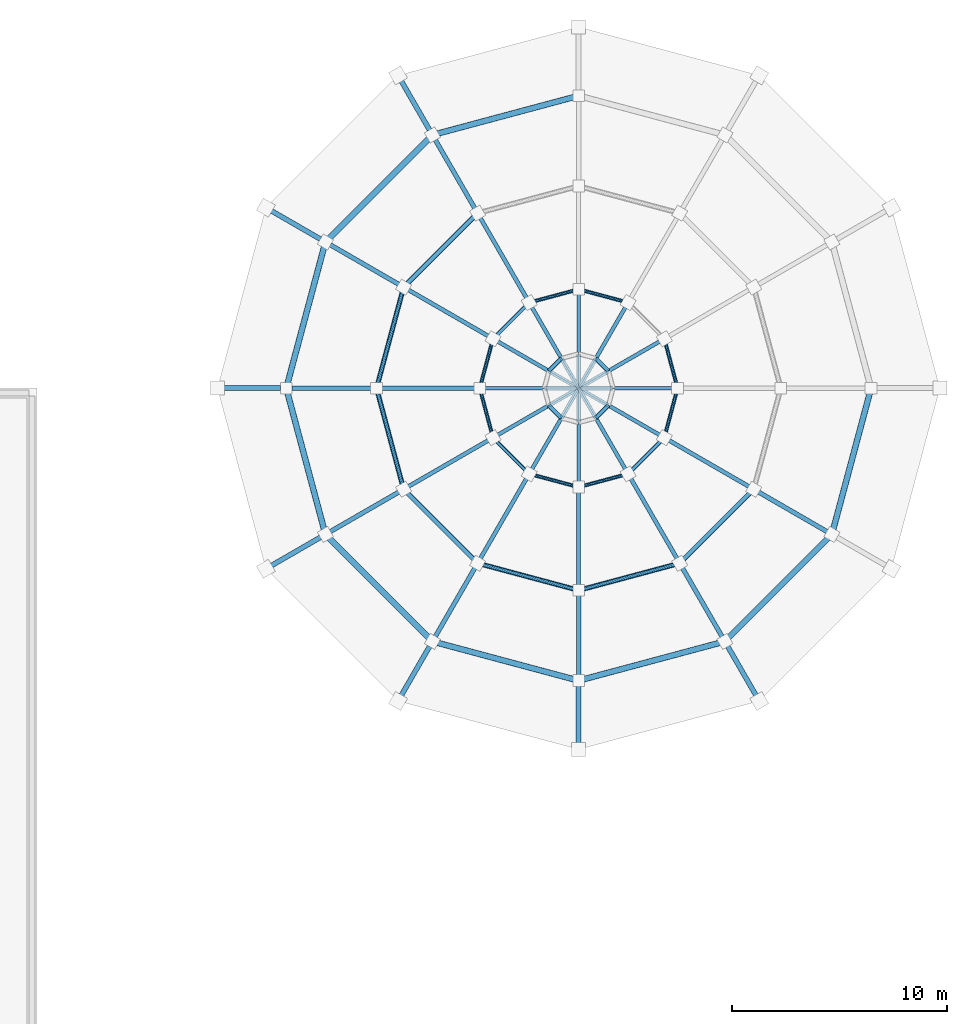
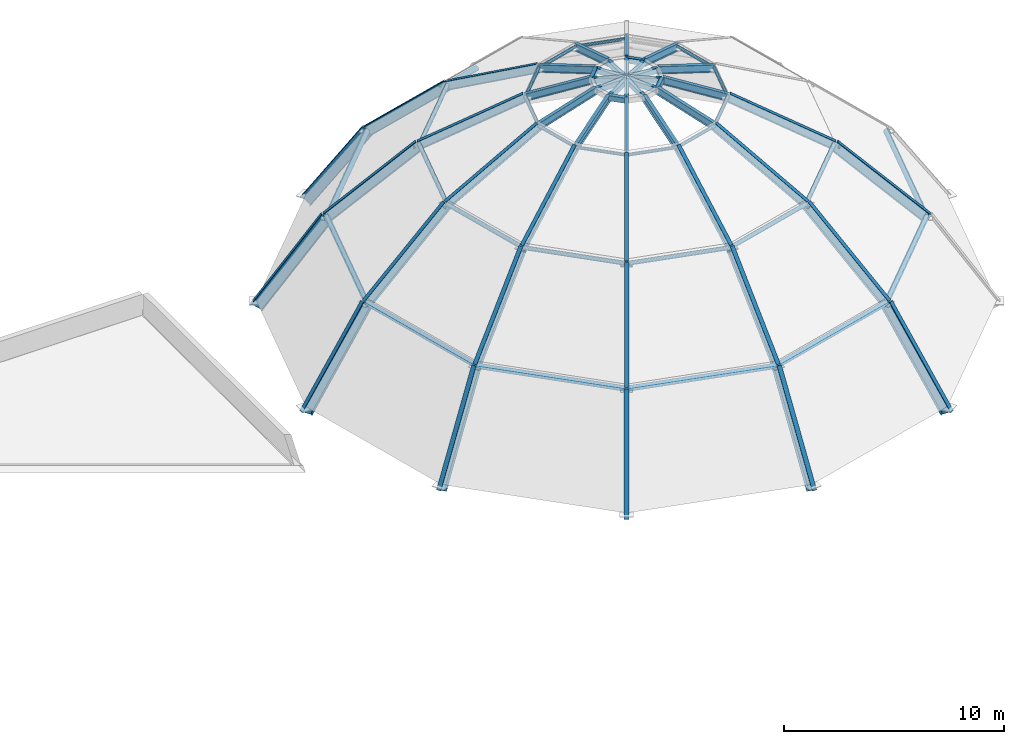
# One storey, part 1 of 5: 45 beams, 27 members.
"""IFC4 building model written with IfcOpenShell, lengths in metres."""

import ifcopenshell
import ifcopenshell.guid

model = None  # the IFC model being written
_history = None  # IfcOwnerHistory: only IFC2X3 demands one
_inside = {}  # id of a spatial element -> (the spatial element, [elements in it])
_under = {}  # id of a project, library or spatial element -> (it, [spatial elements below it])
_declared = {}  # id of a project -> (the project, [libraries it declares])
_typed = {}  # id of a type object -> (the type object, [elements of that type])
_made_of = {}  # id of a material, layer set ... -> (it, [elements and type objects made of it])


def new_model(schema):
    """Start an empty IFC model of exactly this schema.

    Asked for "IFC4X3", IfcOpenShell would pick the latest addendum, in which some entities
    have other attributes; the version numbers below select the first issue.
    IFC2X3 requires an IfcOwnerHistory on every rooted entity: one is made here for all.
    """
    global model, _history
    if schema == "IFC4X3":
        model = ifcopenshell.file(schema_version=(4, 3, 0, 0))
    else:
        model = ifcopenshell.file(schema=schema)
    _inside.clear()
    _under.clear()
    _declared.clear()
    _typed.clear()
    _made_of.clear()
    _history = None
    if model.schema == "IFC2X3":
        org = make("IfcOrganization", Name="unknown")
        user = make(
            "IfcPersonAndOrganization",
            ThePerson=make("IfcPerson", FamilyName="unknown"),
            TheOrganization=org,
        )
        app = make(
            "IfcApplication",
            ApplicationDeveloper=org,
            Version="unknown",
            ApplicationFullName="unknown",
            ApplicationIdentifier="unknown",
        )
        _history = make(
            "IfcOwnerHistory",
            OwningUser=user,
            OwningApplication=app,
            ChangeAction="ADDED",
            CreationDate=0,
        )
    return model


def make(cls, **values):
    """One entity of the class cls with the attributes given. An attribute that is None is left unset."""
    return model.create_entity(
        cls, **{name: value for name, value in values.items() if value is not None}
    )


def rooted(cls, **values):
    """An entity with a GlobalId (a new one), such as an element, a storey or a relation."""
    return make(cls, GlobalId=ifcopenshell.guid.new(), OwnerHistory=_history, **values)


def si_unit(unit_type, name, prefix=None):
    """IfcSIUnit, for example si_unit("LENGTHUNIT", "METRE", prefix="MILLI")."""
    return make("IfcSIUnit", UnitType=unit_type, Prefix=prefix, Name=name)


def derived_unit(unit_type, elements):
    """IfcDerivedUnit: a product of units, each with its exponent."""
    return make(
        "IfcDerivedUnit",
        Elements=[
            make("IfcDerivedUnitElement", Unit=unit, Exponent=power)
            for unit, power in elements
        ],
        UnitType=unit_type,
    )


def assignment(units):
    """IfcUnitAssignment: the units of a project."""
    return None if units is None else make("IfcUnitAssignment", Units=units)


def point(xyz):
    """IfcCartesianPoint."""
    return None if xyz is None else make("IfcCartesianPoint", Coordinates=xyz)


def direction(xyz):
    """IfcDirection."""
    return None if xyz is None else make("IfcDirection", DirectionRatios=xyz)


def frame(location, z_axis=None, x_axis=None):
    """IfcAxis2Placement3D, a coordinate frame: its origin and axes. An axis left out is left unset."""
    return make(
        "IfcAxis2Placement3D",
        Location=point(location),
        Axis=direction(z_axis),
        RefDirection=direction(x_axis),
    )


def frame_2d(location, x_axis=None):
    """IfcAxis2Placement2D, a coordinate frame in the plane: its origin and x axis."""
    return make(
        "IfcAxis2Placement2D", Location=point(location), RefDirection=direction(x_axis)
    )


def origin():
    """The frame at (0, 0, 0) with its axes left unset."""
    return frame((0.0, 0.0, 0.0))


def origin_2d():
    """The frame at (0, 0) in the plane with its x axis left unset."""
    return frame_2d((0.0, 0.0))


def place(relative_to, where):
    """IfcLocalPlacement: puts the frame where relative to a parent placement (None: the world)."""
    return make(
        "IfcLocalPlacement", PlacementRelTo=relative_to, RelativePlacement=where
    )


def context(
    kind, dimensions, precision=None, world=None, true_north=None, identifier=None
):
    """IfcGeometricRepresentationContext, for example the 3D "Model" context."""
    return make(
        "IfcGeometricRepresentationContext",
        ContextIdentifier=identifier,
        ContextType=kind,
        CoordinateSpaceDimension=dimensions,
        Precision=precision,
        WorldCoordinateSystem=world,
        TrueNorth=true_north,
    )


def subcontext(parent, identifier, kind, view, scale=None):
    """IfcGeometricRepresentationSubContext, for example "Body" below "Model"."""
    return make(
        "IfcGeometricRepresentationSubContext",
        ContextIdentifier=identifier,
        ContextType=kind,
        ParentContext=parent,
        TargetScale=scale,
        TargetView=view,
    )


def project(units=None, contexts=None):
    """IfcProject with its units and contexts."""
    return rooted(
        "IfcProject",
        Name="project",
        RepresentationContexts=contexts,
        UnitsInContext=assignment(units),
    )


def spatial(cls, under=None, at=None, **own):
    """A site, building, storey or space (cls), placed at a placement, below another one or the project."""
    s = rooted(cls, ObjectPlacement=at, **own)
    if under is not None:
        _under.setdefault(under.id(), (under, []))[1].append(s)
    return s


def profile(cls, at=None, kind="AREA", **sizes):
    """A parametric profile (cls). Its sizes go by their IFC names, for example OverallWidth=200.0."""
    return make(cls, ProfileType=kind, Position=at, **sizes)


def hollow_rectangle(**sizes):
    """IfcRectangleHollowProfileDef."""
    return profile("IfcRectangleHollowProfileDef", **sizes)


def hollow_circle(**sizes):
    """IfcCircleHollowProfileDef."""
    return profile("IfcCircleHollowProfileDef", **sizes)


def i_section(**sizes):
    """IfcIShapeProfileDef."""
    return profile("IfcIShapeProfileDef", **sizes)


def extrude(swept, where, along, depth):
    """IfcExtrudedAreaSolid: the profile swept, set in the frame where, extruded along a direction by depth."""
    return make(
        "IfcExtrudedAreaSolid",
        SweptArea=swept,
        Position=where,
        ExtrudedDirection=direction(along),
        Depth=depth,
    )


def shape(context_of_items, identifier, shape_type, items):
    """IfcShapeRepresentation: the items that make up one representation, for example the "Body"."""
    return make(
        "IfcShapeRepresentation",
        ContextOfItems=context_of_items,
        RepresentationIdentifier=identifier,
        RepresentationType=shape_type,
        Items=items,
    )


def material(Name=None, Category=None):
    """IfcMaterial."""
    return make("IfcMaterial", Name=Name, Category=Category)


def material_profile(
    of_material, cross_section, Name=None, Category=None, Priority=None
):
    """IfcMaterialProfile: a cross section and its material."""
    return make(
        "IfcMaterialProfile",
        Name=Name,
        Material=of_material,
        Profile=cross_section,
        Priority=Priority,
        Category=Category,
    )


def profile_set(profiles, Name=None, composite=None):
    """IfcMaterialProfileSet."""
    return make(
        "IfcMaterialProfileSet",
        Name=Name,
        MaterialProfiles=profiles,
        CompositeProfile=composite,
    )


def made_of(thing, what):
    """Note that an element or type object is made of a material, layer set ...; save() writes the relation."""
    if what is not None:
        _made_of.setdefault(what.id(), (what, []))[1].append(thing)
    return thing


def type_object(cls, material=None, **own):
    """A type object (cls), such as IfcWallType, which elements share."""
    return made_of(rooted(cls, **own), material)


def element(
    cls,
    number,
    at=None,
    inside=None,
    cuts=None,
    type_object=None,
    material=None,
    context=None,
    identifier="Body",
    shape_type=None,
    held_by="IfcProductDefinitionShape",
    body=None,
    shapes=None,
    **own,
):
    """One element of the class cls, such as IfcWall. Its Tag is "e" and its number.

    at: its placement. inside: the storey or other place that contains it. cuts: it is an
    opening in that element (IfcRelVoidsElement). A single representation is given by context,
    identifier, shape_type and body (its items); several are given by shapes. held_by: the class
    of the entity that holds the representations. save() writes the other relations.
    """
    e = rooted(cls, Tag="e%d" % number, ObjectPlacement=at, **own)
    if body is not None:
        shapes = [shape(context, identifier, shape_type, body)]
    if shapes is not None:
        e.Representation = make(held_by, Representations=shapes)
    if inside is not None:
        _inside.setdefault(inside.id(), (inside, []))[1].append(e)
    if cuts is not None:
        rooted(
            "IfcRelVoidsElement", RelatingBuildingElement=cuts, RelatedOpeningElement=e
        )
    if type_object is not None:
        _typed.setdefault(type_object.id(), (type_object, []))[1].append(e)
    return made_of(e, material)


def aggregate(whole, parts):
    """IfcRelAggregates: a whole, such as a stair, and the parts it consists of."""
    return rooted("IfcRelAggregates", RelatingObject=whole, RelatedObjects=parts)


def save(model, path):
    """Write the relations noted so far, then the file.

    IfcRelAggregates (storeys below a building ...), IfcRelContainedInSpatialStructure (elements
    in a storey), IfcRelDefinesByType, IfcRelAssociatesMaterial and IfcRelDeclares: one each for
    every whole, place, type object, material and project.
    """
    for whole, parts in _under.values():
        aggregate(whole, parts)
    for where, things in _inside.values():
        rooted(
            "IfcRelContainedInSpatialStructure",
            RelatedElements=things,
            RelatingStructure=where,
        )
    for kind, things in _typed.values():
        rooted("IfcRelDefinesByType", RelatedObjects=things, RelatingType=kind)
    for what, things in _made_of.values():
        rooted("IfcRelAssociatesMaterial", RelatedObjects=things, RelatingMaterial=what)
    for by, libraries in _declared.values():
        rooted("IfcRelDeclares", RelatingContext=by, RelatedDefinitions=libraries)
    model.write(path)


model = new_model("IFC4")

# Units and contexts
model_context = context("Model", 3, precision=1e-05, world=origin(), true_north=direction((0.0, 1.0)))
body_context = subcontext(model_context, "Body", "Model", "MODEL_VIEW")
ifc_project = project(units=[si_unit("LENGTHUNIT", "METRE"), si_unit("AREAUNIT", "SQUARE_METRE"), si_unit("VOLUMEUNIT", "CUBIC_METRE"), si_unit("PLANEANGLEUNIT", "RADIAN"), si_unit("MASSUNIT", "GRAM", prefix="KILO"), derived_unit("THERMALTRANSMITTANCEUNIT", [(si_unit("POWERUNIT", "WATT"), 1), (si_unit("LENGTHUNIT", "METRE"), -2), (si_unit("THERMODYNAMICTEMPERATUREUNIT", "KELVIN"), -1)])], contexts=[model_context])

# Site, building, storey
site_placement = place(None, origin())
site = spatial("IfcSite", under=ifc_project, at=site_placement, CompositionType="ELEMENT")
building_placement = place(site_placement, origin())
building = spatial("IfcBuilding", under=site, at=building_placement, Name="Veybourne Emporium", CompositionType="ELEMENT")
storey_placement = place(building_placement, frame((0.0, 0.0, 36.60009765625)))
storey = spatial("IfcBuildingStorey", under=building, at=storey_placement, Name="ROOF", CompositionType="ELEMENT", Elevation=36.60009765625)

# Beams
ifc_material = material(Name="Steel S355", Category="steel")
ifc_material_profile_1 = material_profile(ifc_material, i_section(OverallWidth=0.230224609375, OverallDepth=0.6171875, WebThickness=0.01318359375, FlangeThickness=0.022216796875, FilletRadius=0.0126953125, at=origin_2d()), Name="UKB 610x229x140")
ifc_profile_set_1 = profile_set([ifc_material_profile_1], Name="Steel S355")
beam_type_1 = type_object("IfcBeamType", Name="SteelBeam_DR-01", PredefinedType="BEAM", material=ifc_profile_set_1)
for number, where, z_axis, x_axis, name in (
    (1, (67.199951171875, 64.94921875, -8.708740234375), (0.270357230792, -0.46823694335, 0.841225970023), (0.866008981251, 0.500028443584, 0.0), "Atrium dome radial rib DR-01 sector 5 tier 1"),
    (2, (61.05078125, 58.800048828125, -8.708740234375), (0.46823694335, -0.270357230792, 0.841225970023), (0.500028443584, 0.866008981251, 0.0), "Atrium dome radial rib DR-01 sector 6 tier 1"),
    (3, (58.800048828125, 50.39990234375, -8.708740234375), (0.540676278239, 0.0, 0.841230742513), (0.0, 1.0, 0.0), "Atrium dome radial rib DR-01 sector 7 tier 1"),
    (4, (61.05078125, 42.0, -8.708740234375), (0.46823694335, 0.270357230792, 0.841225970023), (-0.500028443584, 0.866008981251, 0.0), "Atrium dome radial rib DR-01 sector 8 tier 1"),
    (5, (67.199951171875, 35.850830078125, -8.708740234375), (0.270357230792, 0.46823694335, 0.841225970023), (-0.866008981251, 0.500028443584, 0.0), "Atrium dome radial rib DR-01 sector 9 tier 1"),
    (6, (75.60009765625, 33.60009765625, -8.708740234375), (0.0, 0.540676278239, 0.841230742513), (-1.0, 0.0, 0.0), "Atrium dome radial rib DR-01 sector 10 tier 1"),
    (7, (84.0, 35.850830078125, -8.708740234375), (-0.270357230792, 0.46823694335, 0.841225970023), (-0.866008981251, -0.500028443584, 0.0), "Atrium dome radial rib DR-01 sector 11 tier 1"),
):
    element("IfcBeam", number, at=place(storey_placement, frame(where, z_axis=z_axis, x_axis=x_axis)), inside=storey, type_object=beam_type_1, Name=name, PredefinedType="BEAM", context=body_context, shape_type="SweptSolid", body=[
        extrude(i_section(OverallWidth=0.230224609375, OverallDepth=0.6171875, WebThickness=0.01318359375, FlangeThickness=0.022216796875, FilletRadius=0.0126953125, at=origin_2d()), origin(), (0.0, 0.0, 1.0), 5.91845703125),
    ])
ifc_material_profile_2 = material_profile(ifc_material, i_section(OverallWidth=0.209228515625, OverallDepth=0.533203125, WebThickness=0.010009765625, FlangeThickness=0.015625, FilletRadius=0.0126953125, at=origin_2d()), Name="UKB 533x210x92")
ifc_profile_set_2 = profile_set([ifc_material_profile_2], Name="Steel S355")
beam_type_2 = type_object("IfcBeamType", Name="SteelBeam_DR-02", PredefinedType="BEAM", material=ifc_profile_set_2)
for number, where, z_axis, x_axis, name in (
    (8, (68.800048828125, 62.177978515625, -3.72998046875), (0.362041364429, -0.627142691387, 0.689650705127), (0.866049104564, 0.499958946799, 0.0), "Atrium dome radial rib DR-02 sector 5 tier 2"),
    (9, (63.822021484375, 57.199951171875, -3.72998046875), (0.627142691387, -0.362041364429, 0.689650705127), (0.499958946799, 0.866049104564, 0.0), "Atrium dome radial rib DR-02 sector 6 tier 2"),
    (10, (62.0, 50.39990234375, -3.72998046875), (0.724133926887, 0.0, 0.689659376744), (0.0, 1.0, 0.0), "Atrium dome radial rib DR-02 sector 7 tier 2"),
    (11, (63.822021484375, 43.60009765625, -3.72998046875), (0.627142691387, 0.362041364429, 0.689650705127), (-0.499958946799, 0.866049104564, 0.0), "Atrium dome radial rib DR-02 sector 8 tier 2"),
):
    element("IfcBeam", number, at=place(storey_placement, frame(where, z_axis=z_axis, x_axis=x_axis)), inside=storey, type_object=beam_type_2, Name=name, PredefinedType="BEAM", context=body_context, shape_type="SweptSolid", body=[
        extrude(i_section(OverallWidth=0.209228515625, OverallDepth=0.533203125, WebThickness=0.010009765625, FlangeThickness=0.015625, FilletRadius=0.0126953125, at=origin_2d()), origin(), (0.0, 0.0, 1.0), 5.800048828125),
    ])
beam_1_placement = place(storey_placement, frame((68.800048828125, 38.6220703125, -3.72998046875), z_axis=(0.362050921755, 0.627117152925, 0.689668910829), x_axis=(-0.866034573852, 0.49998411664, 0.0)))
element("IfcBeam", 12, at=beam_1_placement, inside=storey, type_object=beam_type_2, Name="Atrium dome radial rib DR-02 sector 9 tier 2", PredefinedType="BEAM", context=body_context, shape_type="SweptSolid", body=[
    extrude(i_section(OverallWidth=0.209228515625, OverallDepth=0.533203125, WebThickness=0.010009765625, FlangeThickness=0.015625, FilletRadius=0.0126953125, at=origin_2d()), origin(), (0.0, 0.0, 1.0), 5.7998046875),
])
beam_2_placement = place(storey_placement, frame((75.60009765625, 36.800048828125, -3.72998046875), z_axis=(0.0, 0.724133926887, 0.689659376744), x_axis=(-1.0, 0.0, 0.0)))
element("IfcBeam", 13, at=beam_2_placement, inside=storey, type_object=beam_type_2, Name="Atrium dome radial rib DR-02 sector 10 tier 2", PredefinedType="BEAM", context=body_context, shape_type="SweptSolid", body=[
    extrude(i_section(OverallWidth=0.209228515625, OverallDepth=0.533203125, WebThickness=0.010009765625, FlangeThickness=0.015625, FilletRadius=0.0126953125, at=origin_2d()), origin(), (0.0, 0.0, 1.0), 5.800048828125),
])
for number, where, z_axis, x_axis, name in (
    (14, (82.39990234375, 38.6220703125, -3.72998046875), (-0.362050921755, 0.627117152925, 0.689668910829), (-0.866034573852, -0.49998411664, 0.0), "Atrium dome radial rib DR-02 sector 11 tier 2"),
    (15, (87.3779296875, 43.60009765625, -3.72998046875), (-0.627117152925, 0.362050921755, 0.689668910829), (-0.49998411664, -0.866034573852, 0.0), "Atrium dome radial rib DR-02 sector 12 tier 2"),
):
    element("IfcBeam", number, at=place(storey_placement, frame(where, z_axis=z_axis, x_axis=x_axis)), inside=storey, type_object=beam_type_2, Name=name, PredefinedType="BEAM", context=body_context, shape_type="SweptSolid", body=[
        extrude(i_section(OverallWidth=0.209228515625, OverallDepth=0.533203125, WebThickness=0.010009765625, FlangeThickness=0.015625, FilletRadius=0.0126953125, at=origin_2d()), origin(), (0.0, 0.0, 1.0), 5.7998046875),
    ])
ifc_material_profile_3 = material_profile(ifc_material, i_section(OverallWidth=0.1904296875, OverallDepth=0.45703125, WebThickness=0.009033203125, FlangeThickness=0.014404296875, FilletRadius=0.01025390625, at=origin_2d()), Name="UKB 457x191x74")
ifc_profile_set_3 = profile_set([ifc_material_profile_3], Name="Steel S355")
beam_type_3 = type_object("IfcBeamType", Name="SteelBeam_DR-03", PredefinedType="BEAM", material=ifc_profile_set_3)
for number, where, z_axis, x_axis, name in (
    (16, (70.89990234375, 58.54052734375, 0.27001953125), (0.437758804675, -0.75814071899, 0.483311368725), (0.866002622515, 0.50003945624, 0.0), "Atrium dome radial rib DR-03 sector 5 tier 3"),
    (17, (67.45947265625, 55.10009765625, 0.27001953125), (0.75814071899, -0.437758804675, 0.483311368725), (0.50003945624, 0.866002622515, 0.0), "Atrium dome radial rib DR-03 sector 6 tier 3"),
    (18, (66.199951171875, 50.39990234375, 0.27001953125), (0.875454261244, 0.0, 0.483300979174), (0.0, 1.0, 0.0), "Atrium dome radial rib DR-03 sector 7 tier 3"),
    (19, (67.45947265625, 45.699951171875, 0.27001953125), (0.75814071899, 0.437758804675, 0.483311368725), (-0.50003945624, 0.866002622515, 0.0), "Atrium dome radial rib DR-03 sector 8 tier 3"),
    (20, (70.89990234375, 42.25927734375, 0.27001953125), (0.437744026777, 0.75815965252, 0.48329505306), (-0.866015339567, 0.500017431331, 0.0), "Atrium dome radial rib DR-03 sector 9 tier 3"),
    (21, (75.60009765625, 41.0, 0.27001953125), (0.0, 0.875454261244, 0.483300979174), (-1.0, 0.0, 0.0), "Atrium dome radial rib DR-03 sector 10 tier 3"),
    (22, (80.300048828125, 42.25927734375, 0.27001953125), (-0.437744026777, 0.75815965252, 0.48329505306), (-0.866015339567, -0.500017431331, 0.0), "Atrium dome radial rib DR-03 sector 11 tier 3"),
    (23, (83.74072265625, 45.699951171875, 0.27001953125), (-0.75815965252, 0.437744026777, 0.48329505306), (-0.500017431331, -0.866015339567, 0.0), "Atrium dome radial rib DR-03 sector 12 tier 3"),
):
    element("IfcBeam", number, at=place(storey_placement, frame(where, z_axis=z_axis, x_axis=x_axis)), inside=storey, type_object=beam_type_3, Name=name, PredefinedType="BEAM", context=body_context, shape_type="SweptSolid", body=[
        extrude(i_section(OverallWidth=0.1904296875, OverallDepth=0.45703125, WebThickness=0.009033203125, FlangeThickness=0.014404296875, FilletRadius=0.01025390625, at=origin_2d()), origin(), (0.0, 0.0, 1.0), 5.48291015625),
    ])
ifc_material_profile_4 = material_profile(ifc_material, i_section(OverallWidth=0.177978515625, OverallDepth=0.406494140625, WebThickness=0.0078125, FlangeThickness=0.0126953125, FilletRadius=0.01025390625, at=origin_2d()), Name="UKB 406x178x60")
ifc_profile_set_4 = profile_set([ifc_material_profile_4], Name="Steel S355")
beam_type_4 = type_object("IfcBeamType", Name="SteelBeam_DR-04", PredefinedType="BEAM", material=ifc_profile_set_4)
beam_3_placement = place(storey_placement, frame((80.199951171875, 50.39990234375, 2.919921875), z_axis=(-0.953346691051, 0.0, 0.301877602122), x_axis=(0.0, -1.0, 0.0)))
element("IfcBeam", 24, at=beam_3_placement, inside=storey, type_object=beam_type_4, Name="Atrium dome radial rib DR-04 sector 1 tier 4", PredefinedType="BEAM", context=body_context, shape_type="SweptSolid", body=[
    extrude(i_section(OverallWidth=0.177978515625, OverallDepth=0.406494140625, WebThickness=0.0078125, FlangeThickness=0.0126953125, FilletRadius=0.01025390625, at=origin_2d()), origin(), (0.0, 0.0, 1.0), 3.146728515625),
])
for number, where, z_axis, x_axis, name in (
    (25, (79.583740234375, 52.699951171875, 2.919921875), (-0.825629364474, -0.47666480129, 0.301872191051), (0.499990139034, -0.866031096941, 0.0), "Atrium dome radial rib DR-04 sector 2 tier 4"),
    (26, (77.89990234375, 54.3837890625, 2.919921875), (-0.47666480129, -0.825629364474, 0.301872191051), (0.866031096941, -0.499990139034, 0.0), "Atrium dome radial rib DR-04 sector 3 tier 4"),
):
    element("IfcBeam", number, at=place(storey_placement, frame(where, z_axis=z_axis, x_axis=x_axis)), inside=storey, type_object=beam_type_4, Name=name, PredefinedType="BEAM", context=body_context, shape_type="SweptSolid", body=[
        extrude(i_section(OverallWidth=0.177978515625, OverallDepth=0.406494140625, WebThickness=0.0078125, FlangeThickness=0.0126953125, FilletRadius=0.01025390625, at=origin_2d()), origin(), (0.0, 0.0, 1.0), 3.14697265625),
    ])
beam_4_placement = place(storey_placement, frame((75.60009765625, 55.0, 2.919921875), z_axis=(0.0, -0.953346691051, 0.301877602122), x_axis=(1.0, 0.0, 0.0)))
element("IfcBeam", 27, at=beam_4_placement, inside=storey, type_object=beam_type_4, Name="Atrium dome radial rib DR-04 sector 4 tier 4", PredefinedType="BEAM", context=body_context, shape_type="SweptSolid", body=[
    extrude(i_section(OverallWidth=0.177978515625, OverallDepth=0.406494140625, WebThickness=0.0078125, FlangeThickness=0.0126953125, FilletRadius=0.01025390625, at=origin_2d()), origin(), (0.0, 0.0, 1.0), 3.146728515625),
])
for number, where, z_axis, x_axis, name in (
    (28, (73.300048828125, 54.3837890625, 2.919921875), (0.47666480129, -0.825629364474, 0.301872191051), (0.866031096941, 0.499990139034, 0.0), "Atrium dome radial rib DR-04 sector 5 tier 4"),
    (29, (71.6162109375, 52.699951171875, 2.919921875), (0.825629364474, -0.47666480129, 0.301872191051), (0.499990139034, 0.866031096941, 0.0), "Atrium dome radial rib DR-04 sector 6 tier 4"),
):
    element("IfcBeam", number, at=place(storey_placement, frame(where, z_axis=z_axis, x_axis=x_axis)), inside=storey, type_object=beam_type_4, Name=name, PredefinedType="BEAM", context=body_context, shape_type="SweptSolid", body=[
        extrude(i_section(OverallWidth=0.177978515625, OverallDepth=0.406494140625, WebThickness=0.0078125, FlangeThickness=0.0126953125, FilletRadius=0.01025390625, at=origin_2d()), origin(), (0.0, 0.0, 1.0), 3.14697265625),
    ])
beam_5_placement = place(storey_placement, frame((71.0, 50.39990234375, 2.919921875), z_axis=(0.953346691051, 0.0, 0.301877602122), x_axis=(0.0, 1.0, 0.0)))
element("IfcBeam", 30, at=beam_5_placement, inside=storey, type_object=beam_type_4, Name="Atrium dome radial rib DR-04 sector 7 tier 4", PredefinedType="BEAM", context=body_context, shape_type="SweptSolid", body=[
    extrude(i_section(OverallWidth=0.177978515625, OverallDepth=0.406494140625, WebThickness=0.0078125, FlangeThickness=0.0126953125, FilletRadius=0.01025390625, at=origin_2d()), origin(), (0.0, 0.0, 1.0), 3.146728515625),
])
for number, where, z_axis, x_axis, name in (
    (31, (71.6162109375, 48.10009765625, 2.919921875), (0.825629364474, 0.47666480129, 0.301872191051), (-0.499990139034, 0.866031096941, 0.0), "Atrium dome radial rib DR-04 sector 8 tier 4"),
    (32, (73.300048828125, 46.416259765625, 2.919921875), (0.47666480129, 0.825629364474, 0.301872191051), (-0.866031096941, 0.499990139034, 0.0), "Atrium dome radial rib DR-04 sector 9 tier 4"),
):
    element("IfcBeam", number, at=place(storey_placement, frame(where, z_axis=z_axis, x_axis=x_axis)), inside=storey, type_object=beam_type_4, Name=name, PredefinedType="BEAM", context=body_context, shape_type="SweptSolid", body=[
        extrude(i_section(OverallWidth=0.177978515625, OverallDepth=0.406494140625, WebThickness=0.0078125, FlangeThickness=0.0126953125, FilletRadius=0.01025390625, at=origin_2d()), origin(), (0.0, 0.0, 1.0), 3.14697265625),
    ])
beam_6_placement = place(storey_placement, frame((75.60009765625, 45.800048828125, 2.919921875), z_axis=(0.0, 0.953346691051, 0.301877602122), x_axis=(-1.0, 0.0, 0.0)))
element("IfcBeam", 33, at=beam_6_placement, inside=storey, type_object=beam_type_4, Name="Atrium dome radial rib DR-04 sector 10 tier 4", PredefinedType="BEAM", context=body_context, shape_type="SweptSolid", body=[
    extrude(i_section(OverallWidth=0.177978515625, OverallDepth=0.406494140625, WebThickness=0.0078125, FlangeThickness=0.0126953125, FilletRadius=0.01025390625, at=origin_2d()), origin(), (0.0, 0.0, 1.0), 3.146728515625),
])
for number, where, z_axis, x_axis, name in (
    (34, (77.89990234375, 46.416259765625, 2.919921875), (-0.47666480129, 0.825629364474, 0.301872191051), (-0.866031096941, -0.499990139034, 0.0), "Atrium dome radial rib DR-04 sector 11 tier 4"),
    (35, (79.583740234375, 48.10009765625, 2.919921875), (-0.825629364474, 0.47666480129, 0.301872191051), (-0.499990139034, -0.866031096941, 0.0), "Atrium dome radial rib DR-04 sector 12 tier 4"),
):
    element("IfcBeam", number, at=place(storey_placement, frame(where, z_axis=z_axis, x_axis=x_axis)), inside=storey, type_object=beam_type_4, Name=name, PredefinedType="BEAM", context=body_context, shape_type="SweptSolid", body=[
        extrude(i_section(OverallWidth=0.177978515625, OverallDepth=0.406494140625, WebThickness=0.0078125, FlangeThickness=0.0126953125, FilletRadius=0.01025390625, at=origin_2d()), origin(), (0.0, 0.0, 1.0), 3.14697265625),
    ])
ifc_material_profile_5 = material_profile(ifc_material, hollow_rectangle(XDim=0.199951171875, YDim=0.300048828125, WallThickness=0.010009765625, InnerFilletRadius=0.014892578125, OuterFilletRadius=0.02490234375, at=origin_2d()), Name="RHS 300x200x10")
ifc_profile_set_5 = profile_set([ifc_material_profile_5], Name="Steel S355")
beam_type_5 = type_object("IfcBeamType", Name="SteelBeam_DR-05", PredefinedType="BEAM", material=ifc_profile_set_5)
for number, where, z_axis, x_axis, name in (
    (36, (76.985595703125, 51.199951171875, 3.869873046875), (-0.707106781187, 0.707106781187, 0.0), (-0.707106781187, -0.707106781187, 0.0), "Dome crown compression ring DR-05.02"),
    (37, (74.800048828125, 51.78564453125, 3.869873046875), (-0.707106781187, -0.707106781187, 0.0), (0.707106781187, -0.707106781187, 0.0), "Dome crown compression ring DR-05.05"),
    (38, (74.21435546875, 49.60009765625, 3.869873046875), (0.707106781187, -0.707106781187, 0.0), (0.707106781187, 0.707106781187, 0.0), "Dome crown compression ring DR-05.08"),
    (39, (76.39990234375, 49.014404296875, 3.869873046875), (0.707106781187, 0.707106781187, 0.0), (-0.707106781187, 0.707106781187, 0.0), "Dome crown compression ring DR-05.11"),
):
    element("IfcBeam", number, at=place(storey_placement, frame(where, z_axis=z_axis, x_axis=x_axis)), inside=storey, type_object=beam_type_5, Name=name, PredefinedType="BEAM", context=body_context, shape_type="SweptSolid", body=[
        extrude(hollow_rectangle(XDim=0.199951171875, YDim=0.300048828125, WallThickness=0.010009765625, InnerFilletRadius=0.014892578125, OuterFilletRadius=0.02490234375, at=origin_2d()), origin(), (0.0, 0.0, 1.0), 0.828369140625),
    ])
ifc_material_profile_6 = material_profile(ifc_material, hollow_rectangle(XDim=0.199951171875, YDim=0.300048828125, WallThickness=0.010009765625, InnerFilletRadius=0.014892578125, OuterFilletRadius=0.02490234375, at=origin_2d()), Name="RHS 300x200x10")
ifc_profile_set_6 = profile_set([ifc_material_profile_6], Name="Steel S355")
beam_type_6 = type_object("IfcBeamType", Name="SteelBeam_DR-06", PredefinedType="BEAM", material=ifc_profile_set_6)
for number, where, z_axis, x_axis, name in (
    (40, (77.199951171875, 50.39990234375, 3.869873046875), (-1.0, 0.0, 0.0), (0.0, -1.0, 0.0), "Dome crown hub spoke DR-06.01"),
    (41, (76.985595703125, 51.199951171875, 3.869873046875), (-0.866042017984, -0.499971222258, 0.0), (0.499971222258, -0.866042017984, 0.0), "Dome crown hub spoke DR-06.02"),
    (42, (76.39990234375, 51.78564453125, 3.869873046875), (-0.499971222258, -0.866042017984, 0.0), (0.866042017984, -0.499971222258, 0.0), "Dome crown hub spoke DR-06.03"),
    (43, (75.60009765625, 52.0, 3.869873046875), (0.0, -1.0, 0.0), (1.0, 0.0, 0.0), "Dome crown hub spoke DR-06.04"),
    (44, (74.800048828125, 51.78564453125, 3.869873046875), (0.499971222258, -0.866042017984, 0.0), (0.866042017984, 0.499971222258, 0.0), "Dome crown hub spoke DR-06.05"),
    (45, (74.21435546875, 51.199951171875, 3.869873046875), (0.866042017984, -0.499971222258, 0.0), (0.499971222258, 0.866042017984, 0.0), "Dome crown hub spoke DR-06.06"),
):
    element("IfcBeam", number, at=place(storey_placement, frame(where, z_axis=z_axis, x_axis=x_axis)), inside=storey, type_object=beam_type_6, Name=name, PredefinedType="BEAM", context=body_context, shape_type="SweptSolid", body=[
        extrude(hollow_rectangle(XDim=0.199951171875, YDim=0.300048828125, WallThickness=0.010009765625, InnerFilletRadius=0.014892578125, OuterFilletRadius=0.02490234375, at=origin_2d()), origin(), (0.0, 0.0, 1.0), 3.199951171875),
    ])

# Members
ifc_material_profile_7 = material_profile(ifc_material, hollow_circle(Radius=0.136474609375, WallThickness=0.010009765625, at=origin_2d()), Name="CHS 273.0x10.0")
ifc_profile_set_7 = profile_set([ifc_material_profile_7], Name="Steel S355")
member_type_1 = type_object("IfcMemberType", Name="SteelMem_DP-01", PredefinedType="PURLIN", material=ifc_profile_set_7)
member_1_placement = place(storey_placement, frame((75.60009765625, 64.0, -3.72998046875), z_axis=(-0.965927463633, -0.258812934373, 0.0), x_axis=(0.258812934373, -0.965927463633, 0.0)))
element("IfcMember", 46, at=member_1_placement, inside=storey, type_object=member_type_1, Name="Atrium dome ring purlin DP-01 sector 4", PredefinedType="PURLIN", context=body_context, shape_type="SweptSolid", body=[
    extrude(hollow_circle(Radius=0.136474609375, WallThickness=0.010009765625, at=origin_2d()), origin(), (0.0, 0.0, 1.0), 7.039794921875),
])
member_2_placement = place(storey_placement, frame((68.800048828125, 62.177978515625, -3.72998046875), z_axis=(-0.707106781187, -0.707106781187, 0.0), x_axis=(0.707106781187, -0.707106781187, 0.0)))
element("IfcMember", 47, at=member_2_placement, inside=storey, type_object=member_type_1, Name="Atrium dome ring purlin DP-01 sector 5", PredefinedType="PURLIN", context=body_context, shape_type="SweptSolid", body=[
    extrude(hollow_circle(Radius=0.136474609375, WallThickness=0.010009765625, at=origin_2d()), origin(), (0.0, 0.0, 1.0), 7.0400390625),
])
for number, where, z_axis, x_axis, name in (
    (48, (63.822021484375, 57.199951171875, -3.72998046875), (-0.258812934373, -0.965927463633, 0.0), (0.965927463633, -0.258812934373, 0.0), "Atrium dome ring purlin DP-01 sector 6"),
    (49, (62.0, 50.39990234375, -3.72998046875), (0.258821604332, -0.965925140542, 0.0), (0.965925140542, 0.258821604332, 0.0), "Atrium dome ring purlin DP-01 sector 7"),
):
    element("IfcMember", number, at=place(storey_placement, frame(where, z_axis=z_axis, x_axis=x_axis)), inside=storey, type_object=member_type_1, Name=name, PredefinedType="PURLIN", context=body_context, shape_type="SweptSolid", body=[
        extrude(hollow_circle(Radius=0.136474609375, WallThickness=0.010009765625, at=origin_2d()), origin(), (0.0, 0.0, 1.0), 7.039794921875),
    ])
member_3_placement = place(storey_placement, frame((63.822021484375, 43.60009765625, -3.72998046875), z_axis=(0.707106781187, -0.707106781187, 0.0), x_axis=(0.707106781187, 0.707106781187, 0.0)))
element("IfcMember", 50, at=member_3_placement, inside=storey, type_object=member_type_1, Name="Atrium dome ring purlin DP-01 sector 8", PredefinedType="PURLIN", context=body_context, shape_type="SweptSolid", body=[
    extrude(hollow_circle(Radius=0.136474609375, WallThickness=0.010009765625, at=origin_2d()), origin(), (0.0, 0.0, 1.0), 7.0400390625),
])
for number, where, z_axis, x_axis, name in (
    (51, (68.800048828125, 38.6220703125, -3.72998046875), (0.965927463633, -0.258812934373, 0.0), (0.258812934373, 0.965927463633, 0.0), "Atrium dome ring purlin DP-01 sector 9"),
    (52, (75.60009765625, 36.800048828125, -3.72998046875), (0.965925140542, 0.258821604332, 0.0), (-0.258821604332, 0.965925140542, 0.0), "Atrium dome ring purlin DP-01 sector 10"),
):
    element("IfcMember", number, at=place(storey_placement, frame(where, z_axis=z_axis, x_axis=x_axis)), inside=storey, type_object=member_type_1, Name=name, PredefinedType="PURLIN", context=body_context, shape_type="SweptSolid", body=[
        extrude(hollow_circle(Radius=0.136474609375, WallThickness=0.010009765625, at=origin_2d()), origin(), (0.0, 0.0, 1.0), 7.039794921875),
    ])
member_4_placement = place(storey_placement, frame((82.39990234375, 38.6220703125, -3.72998046875), z_axis=(0.707106781187, 0.707106781187, 0.0), x_axis=(-0.707106781187, 0.707106781187, 0.0)))
element("IfcMember", 53, at=member_4_placement, inside=storey, type_object=member_type_1, Name="Atrium dome ring purlin DP-01 sector 11", PredefinedType="PURLIN", context=body_context, shape_type="SweptSolid", body=[
    extrude(hollow_circle(Radius=0.136474609375, WallThickness=0.010009765625, at=origin_2d()), origin(), (0.0, 0.0, 1.0), 7.0400390625),
])
member_5_placement = place(storey_placement, frame((87.3779296875, 43.60009765625, -3.72998046875), z_axis=(0.258821604332, 0.965925140542, 0.0), x_axis=(-0.965925140542, 0.258821604332, 0.0)))
element("IfcMember", 54, at=member_5_placement, inside=storey, type_object=member_type_1, Name="Atrium dome ring purlin DP-01 sector 12", PredefinedType="PURLIN", context=body_context, shape_type="SweptSolid", body=[
    extrude(hollow_circle(Radius=0.136474609375, WallThickness=0.010009765625, at=origin_2d()), origin(), (0.0, 0.0, 1.0), 7.039794921875),
])
ifc_material_profile_8 = material_profile(ifc_material, hollow_circle(Radius=0.109619140625, WallThickness=0.010009765625, at=origin_2d()), Name="CHS 219.1x10.0")
ifc_profile_set_8 = profile_set([ifc_material_profile_8], Name="Steel S355")
member_type_2 = type_object("IfcMemberType", Name="SteelMem_DP-02", PredefinedType="PURLIN", material=ifc_profile_set_8)
member_6_placement = place(storey_placement, frame((70.89990234375, 58.54052734375, 0.27001953125), z_axis=(-0.707106781187, -0.707106781187, 0.0), x_axis=(0.707106781187, -0.707106781187, 0.0)))
element("IfcMember", 55, at=member_6_placement, inside=storey, type_object=member_type_2, Name="Atrium dome ring purlin DP-02 sector 5", PredefinedType="PURLIN", context=body_context, shape_type="SweptSolid", body=[
    extrude(hollow_circle(Radius=0.109619140625, WallThickness=0.010009765625, at=origin_2d()), origin(), (0.0, 0.0, 1.0), 4.865478515625),
])
member_7_placement = place(storey_placement, frame((67.45947265625, 55.10009765625, 0.27001953125), z_axis=(-0.258839742643, -0.965920280162, 0.0), x_axis=(0.965920280162, -0.258839742643, 0.0)))
element("IfcMember", 56, at=member_7_placement, inside=storey, type_object=member_type_2, Name="Atrium dome ring purlin DP-02 sector 6", PredefinedType="PURLIN", context=body_context, shape_type="SweptSolid", body=[
    extrude(hollow_circle(Radius=0.109619140625, WallThickness=0.010009765625, at=origin_2d()), origin(), (0.0, 0.0, 1.0), 4.865966796875),
])
for number, where, z_axis, x_axis, name in (
    (57, (66.199951171875, 50.39990234375, 0.27001953125), (0.258852287276, -0.965916918462, 0.0), (0.965916918462, 0.258852287276, 0.0), "Atrium dome ring purlin DP-02 sector 7"),
    (58, (67.45947265625, 45.699951171875, 0.27001953125), (0.707081692688, -0.707131868795, 0.0), (0.707131868795, 0.707081692688, 0.0), "Atrium dome ring purlin DP-02 sector 8"),
):
    element("IfcMember", number, at=place(storey_placement, frame(where, z_axis=z_axis, x_axis=x_axis)), inside=storey, type_object=member_type_2, Name=name, PredefinedType="PURLIN", context=body_context, shape_type="SweptSolid", body=[
        extrude(hollow_circle(Radius=0.109619140625, WallThickness=0.010009765625, at=origin_2d()), origin(), (0.0, 0.0, 1.0), 4.86572265625),
    ])
member_8_placement = place(storey_placement, frame((70.89990234375, 42.25927734375, 0.27001953125), z_axis=(0.965932823238, -0.258792930722, 0.0), x_axis=(0.258792930722, 0.965932823238, 0.0)))
element("IfcMember", 59, at=member_8_placement, inside=storey, type_object=member_type_2, Name="Atrium dome ring purlin DP-02 sector 9", PredefinedType="PURLIN", context=body_context, shape_type="SweptSolid", body=[
    extrude(hollow_circle(Radius=0.109619140625, WallThickness=0.010009765625, at=origin_2d()), origin(), (0.0, 0.0, 1.0), 4.865966796875),
])
member_9_placement = place(storey_placement, frame((75.60009765625, 41.0, 0.27001953125), z_axis=(0.96592946271, 0.258805473412, 0.0), x_axis=(-0.258805473412, 0.96592946271, 0.0)))
element("IfcMember", 60, at=member_9_placement, inside=storey, type_object=member_type_2, Name="Atrium dome ring purlin DP-02 sector 10", PredefinedType="PURLIN", context=body_context, shape_type="SweptSolid", body=[
    extrude(hollow_circle(Radius=0.109619140625, WallThickness=0.010009765625, at=origin_2d()), origin(), (0.0, 0.0, 1.0), 4.86572265625),
])
member_10_placement = place(storey_placement, frame((80.300048828125, 42.25927734375, 0.27001953125), z_axis=(0.707106781187, 0.707106781187, 0.0), x_axis=(-0.707106781187, 0.707106781187, 0.0)))
element("IfcMember", 61, at=member_10_placement, inside=storey, type_object=member_type_2, Name="Atrium dome ring purlin DP-02 sector 11", PredefinedType="PURLIN", context=body_context, shape_type="SweptSolid", body=[
    extrude(hollow_circle(Radius=0.109619140625, WallThickness=0.010009765625, at=origin_2d()), origin(), (0.0, 0.0, 1.0), 4.865966796875),
])
ifc_material_profile_9 = material_profile(ifc_material, hollow_circle(Radius=0.084228515625, WallThickness=0.008056640625, at=origin_2d()), Name="CHS 168.3x8.0")
ifc_profile_set_9 = profile_set([ifc_material_profile_9], Name="Steel S355")
member_type_3 = type_object("IfcMemberType", Name="SteelMem_DP-03", PredefinedType="PURLIN", material=ifc_profile_set_9)
member_11_placement = place(storey_placement, frame((80.199951171875, 50.39990234375, 2.919921875), z_axis=(-0.258785626288, 0.965934780214, 0.0), x_axis=(-0.965934780214, -0.258785626288, 0.0)))
element("IfcMember", 62, at=member_11_placement, inside=storey, type_object=member_type_3, Name="Atrium dome ring purlin DP-03 sector 1", PredefinedType="PURLIN", context=body_context, shape_type="SweptSolid", body=[
    extrude(hollow_circle(Radius=0.084228515625, WallThickness=0.008056640625, at=origin_2d()), origin(), (0.0, 0.0, 1.0), 2.381103515625),
])
member_12_placement = place(storey_placement, frame((77.89990234375, 54.3837890625, 2.919921875), z_axis=(-0.965927912762, 0.258811258154, 0.0), x_axis=(-0.258811258154, -0.965927912762, 0.0)))
element("IfcMember", 63, at=member_12_placement, inside=storey, type_object=member_type_3, Name="Atrium dome ring purlin DP-03 sector 3", PredefinedType="PURLIN", context=body_context, shape_type="SweptSolid", body=[
    extrude(hollow_circle(Radius=0.084228515625, WallThickness=0.008056640625, at=origin_2d()), origin(), (0.0, 0.0, 1.0), 2.380859375),
])
member_13_placement = place(storey_placement, frame((75.60009765625, 55.0, 2.919921875), z_axis=(-0.965934780214, -0.258785626288, 0.0), x_axis=(0.258785626288, -0.965934780214, 0.0)))
element("IfcMember", 64, at=member_13_placement, inside=storey, type_object=member_type_3, Name="Atrium dome ring purlin DP-03 sector 4", PredefinedType="PURLIN", context=body_context, shape_type="SweptSolid", body=[
    extrude(hollow_circle(Radius=0.084228515625, WallThickness=0.008056640625, at=origin_2d()), origin(), (0.0, 0.0, 1.0), 2.381103515625),
])
member_14_placement = place(storey_placement, frame((73.300048828125, 54.3837890625, 2.919921875), z_axis=(-0.707106781187, -0.707106781187, 0.0), x_axis=(0.707106781187, -0.707106781187, 0.0)))
element("IfcMember", 65, at=member_14_placement, inside=storey, type_object=member_type_3, Name="Atrium dome ring purlin DP-03 sector 5", PredefinedType="PURLIN", context=body_context, shape_type="SweptSolid", body=[
    extrude(hollow_circle(Radius=0.084228515625, WallThickness=0.008056640625, at=origin_2d()), origin(), (0.0, 0.0, 1.0), 2.38134765625),
])
member_15_placement = place(storey_placement, frame((71.6162109375, 52.699951171875, 2.919921875), z_axis=(-0.258785626288, -0.965934780214, 0.0), x_axis=(0.965934780214, -0.258785626288, 0.0)))
element("IfcMember", 66, at=member_15_placement, inside=storey, type_object=member_type_3, Name="Atrium dome ring purlin DP-03 sector 6", PredefinedType="PURLIN", context=body_context, shape_type="SweptSolid", body=[
    extrude(hollow_circle(Radius=0.084228515625, WallThickness=0.008056640625, at=origin_2d()), origin(), (0.0, 0.0, 1.0), 2.381103515625),
])
member_16_placement = place(storey_placement, frame((71.0, 50.39990234375, 2.919921875), z_axis=(0.258811258154, -0.965927912762, 0.0), x_axis=(0.965927912762, 0.258811258154, 0.0)))
element("IfcMember", 67, at=member_16_placement, inside=storey, type_object=member_type_3, Name="Atrium dome ring purlin DP-03 sector 7", PredefinedType="PURLIN", context=body_context, shape_type="SweptSolid", body=[
    extrude(hollow_circle(Radius=0.084228515625, WallThickness=0.008056640625, at=origin_2d()), origin(), (0.0, 0.0, 1.0), 2.380859375),
])
member_17_placement = place(storey_placement, frame((71.6162109375, 48.10009765625, 2.919921875), z_axis=(0.707106781187, -0.707106781187, 0.0), x_axis=(0.707106781187, 0.707106781187, 0.0)))
element("IfcMember", 68, at=member_17_placement, inside=storey, type_object=member_type_3, Name="Atrium dome ring purlin DP-03 sector 8", PredefinedType="PURLIN", context=body_context, shape_type="SweptSolid", body=[
    extrude(hollow_circle(Radius=0.084228515625, WallThickness=0.008056640625, at=origin_2d()), origin(), (0.0, 0.0, 1.0), 2.38134765625),
])
member_18_placement = place(storey_placement, frame((73.300048828125, 46.416259765625, 2.919921875), z_axis=(0.965934780214, -0.258785626288, 0.0), x_axis=(0.258785626288, 0.965934780214, 0.0)))
element("IfcMember", 69, at=member_18_placement, inside=storey, type_object=member_type_3, Name="Atrium dome ring purlin DP-03 sector 9", PredefinedType="PURLIN", context=body_context, shape_type="SweptSolid", body=[
    extrude(hollow_circle(Radius=0.084228515625, WallThickness=0.008056640625, at=origin_2d()), origin(), (0.0, 0.0, 1.0), 2.381103515625),
])
member_19_placement = place(storey_placement, frame((75.60009765625, 45.800048828125, 2.919921875), z_axis=(0.965927912762, 0.258811258154, 0.0), x_axis=(-0.258811258154, 0.965927912762, 0.0)))
element("IfcMember", 70, at=member_19_placement, inside=storey, type_object=member_type_3, Name="Atrium dome ring purlin DP-03 sector 10", PredefinedType="PURLIN", context=body_context, shape_type="SweptSolid", body=[
    extrude(hollow_circle(Radius=0.084228515625, WallThickness=0.008056640625, at=origin_2d()), origin(), (0.0, 0.0, 1.0), 2.380859375),
])
member_20_placement = place(storey_placement, frame((77.89990234375, 46.416259765625, 2.919921875), z_axis=(0.707106781187, 0.707106781187, 0.0), x_axis=(-0.707106781187, 0.707106781187, 0.0)))
element("IfcMember", 71, at=member_20_placement, inside=storey, type_object=member_type_3, Name="Atrium dome ring purlin DP-03 sector 11", PredefinedType="PURLIN", context=body_context, shape_type="SweptSolid", body=[
    extrude(hollow_circle(Radius=0.084228515625, WallThickness=0.008056640625, at=origin_2d()), origin(), (0.0, 0.0, 1.0), 2.38134765625),
])
member_21_placement = place(storey_placement, frame((79.583740234375, 48.10009765625, 2.919921875), z_axis=(0.258811258154, 0.965927912762, 0.0), x_axis=(-0.965927912762, 0.258811258154, 0.0)))
element("IfcMember", 72, at=member_21_placement, inside=storey, type_object=member_type_3, Name="Atrium dome ring purlin DP-03 sector 12", PredefinedType="PURLIN", context=body_context, shape_type="SweptSolid", body=[
    extrude(hollow_circle(Radius=0.084228515625, WallThickness=0.008056640625, at=origin_2d()), origin(), (0.0, 0.0, 1.0), 2.380859375),
])

save(model, "model.ifc")
